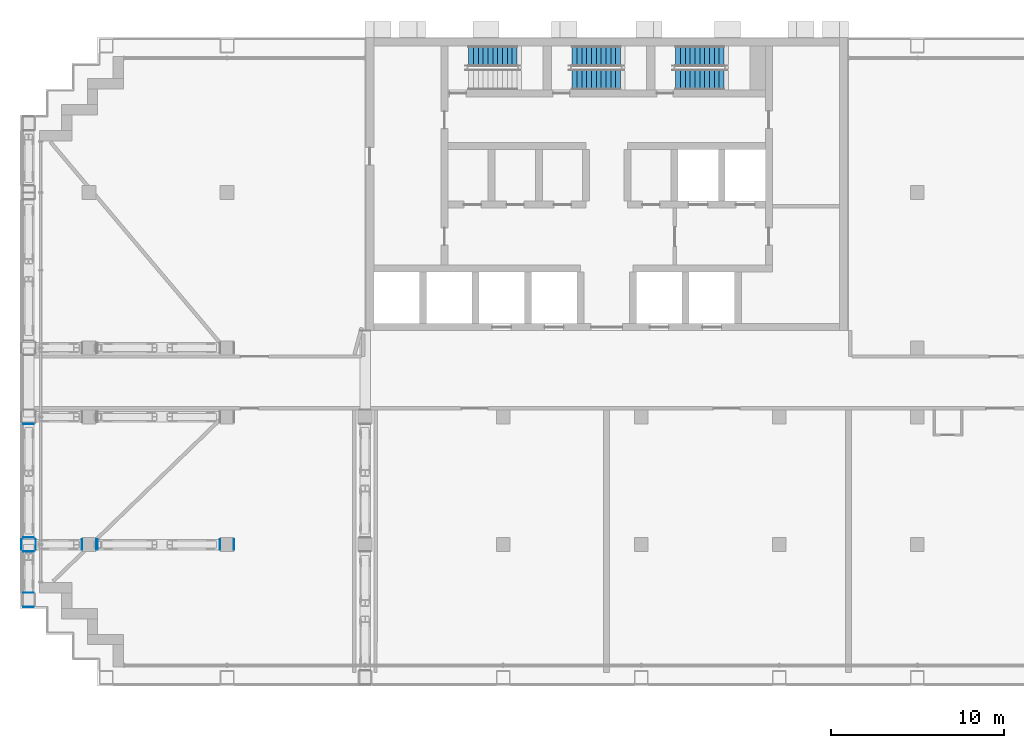
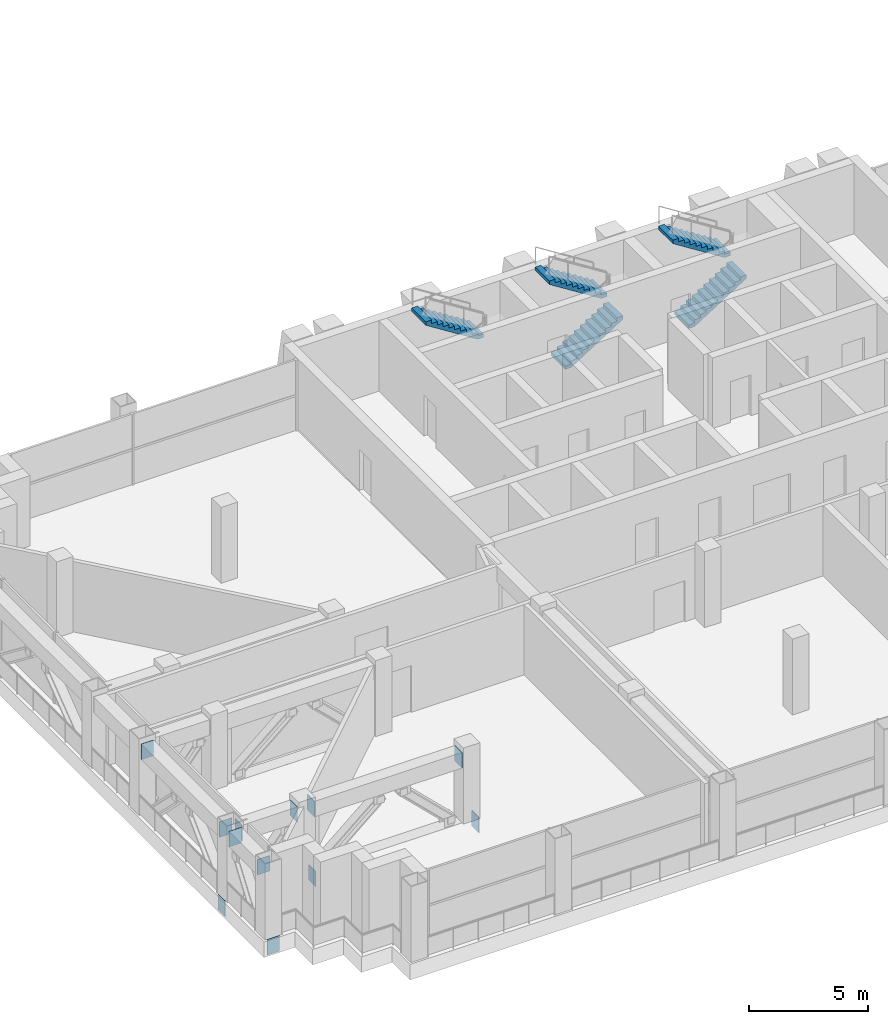
# One storey, part 11 of 25: 12 discrete accessories, 5 stair flights, 3 elements without a shape of their own.
"""IFC4 building model written with IfcOpenShell, lengths in metres."""

from ifc_helpers import new_model, si_unit, direction, frame, origin, origin_2d, place, context, subcontext, project, spatial, polyline, rectangle, outline, extrude, material, type_object, element, aggregate, save


model = new_model("IFC4")

# Units and contexts
model_context = context("Model", 3, precision=1e-05, world=origin(), true_north=direction((0.0, 1.0)))
body_context = subcontext(model_context, "Body", "Model", "MODEL_VIEW")
ifc_project = project(units=[si_unit("LENGTHUNIT", "METRE"), si_unit("AREAUNIT", "SQUARE_METRE"), si_unit("VOLUMEUNIT", "CUBIC_METRE"), si_unit("PLANEANGLEUNIT", "RADIAN"), si_unit("MASSUNIT", "GRAM", prefix="KILO")], contexts=[model_context])

# Site, building, storey
site_placement = place(None, origin())
site = spatial("IfcSite", under=ifc_project, at=site_placement, CompositionType="ELEMENT")
building_placement = place(site_placement, origin())
building = spatial("IfcBuilding", under=site, at=building_placement, Name="Vidyagriha Tower", CompositionType="ELEMENT")
storey_placement = place(building_placement, frame((0.0, 0.0, 115.89990234375)))
storey = spatial("IfcBuildingStorey", under=building, at=storey_placement, Name="L29", CompositionType="ELEMENT", Elevation=115.89990234375)

# Stair, stair flight
ifc_material_1 = material(Name="Concrete C40/50", Category="concrete")
stair_type = type_object("IfcStairType", Name="Exit stair, half-turn, precast flights", PredefinedType="HALF_TURN_STAIR", material=ifc_material_1)
stair_1_placement = place(storey_placement, origin())
stair_1 = element("IfcStair", 1, at=stair_1_placement, inside=storey, type_object=stair_type, Name="L29 Exit Stair ST1", PredefinedType="HALF_TURN_STAIR")
ifc_material_2 = material(Name="Precast concrete C40/50", Category="concrete")
stair_flight_type = type_object("IfcStairFlightType", Name="Exit stair flight 1200 mm, precast", PredefinedType="STRAIGHT", material=ifc_material_2)
stair_flight_1_placement = place(storey_placement, frame((-5.199951171875, 18.89990234375, 1.9501953125), z_axis=(0.0, 0.0, 1.0), x_axis=(-1.0, 0.0, 0.0)))
stair_flight_1 = element("IfcStairFlight", 2, at=stair_flight_1_placement, type_object=stair_flight_type, Name="ST1 flight 2", NumberOfRisers=11, NumberOfTreads=10, PredefinedType="STRAIGHT", RiserHeight=0.177272727, TreadLength=0.28, context=body_context, shape_type="SweptSolid", body=[
    extrude(outline(polyline([(0.0, 0.0), (0.0, 0.17724609375), (0.280029296875, 0.17724609375), (0.280029296875, 0.3544921875), (0.56005859375, 0.3544921875), (0.56005859375, 0.53173828125), (0.840087890625, 0.53173828125), (0.840087890625, 0.708984375), (1.1201171875, 0.708984375), (1.1201171875, 0.886474609375), (1.39990234375, 0.886474609375), (1.39990234375, 1.063720703125), (1.679931640625, 1.063720703125), (1.679931640625, 1.240966796875), (1.9599609375, 1.240966796875), (1.9599609375, 1.418212890625), (2.239990234375, 1.418212890625), (2.239990234375, 1.595458984375), (2.52001953125, 1.595458984375), (2.52001953125, 1.772705078125), (2.800048828125, 1.772705078125), (2.800048828125, 1.949951171875), (2.800048828125, 1.59521484375), (0.2802734375, 0.0), (0.0, 0.0)])), frame((0.0, 0.60009765625, 0.0), z_axis=(0.0, -1.0, 0.0), x_axis=(1.0, 0.0, 0.0)), (0.0, 0.0, 1.0), 1.199951171875),
])
aggregate(stair_1, [stair_flight_1])

# Stair, stair flights
stair_2_placement = place(storey_placement, origin())
stair_2 = element("IfcStair", 3, at=stair_2_placement, inside=storey, type_object=stair_type, Name="L29 Exit Stair ST2", PredefinedType="HALF_TURN_STAIR")
stair_flight_2_placement = place(storey_placement, frame((-2.0, 17.550048828125, 0.0)))
stair_flight_2 = element("IfcStairFlight", 4, at=stair_flight_2_placement, type_object=stair_flight_type, Name="ST2 flight 1", NumberOfRisers=11, NumberOfTreads=10, PredefinedType="STRAIGHT", RiserHeight=0.177272727, TreadLength=0.28, context=body_context, shape_type="SweptSolid", body=[
    extrude(outline(polyline([(0.0, 0.0), (0.0, 0.17724609375), (0.280029296875, 0.17724609375), (0.280029296875, 0.3544921875), (0.56005859375, 0.3544921875), (0.56005859375, 0.53173828125), (0.840087890625, 0.53173828125), (0.840087890625, 0.708984375), (1.1201171875, 0.708984375), (1.1201171875, 0.886474609375), (1.39990234375, 0.886474609375), (1.39990234375, 1.063720703125), (1.679931640625, 1.063720703125), (1.679931640625, 1.240966796875), (1.9599609375, 1.240966796875), (1.9599609375, 1.418212890625), (2.239990234375, 1.418212890625), (2.239990234375, 1.595458984375), (2.52001953125, 1.595458984375), (2.52001953125, 1.772705078125), (2.800048828125, 1.772705078125), (2.800048828125, 1.949951171875), (2.800048828125, 1.59521484375), (0.2802734375, 0.0), (0.0, 0.0)])), frame((0.0, 0.60009765625, 0.0), z_axis=(0.0, -1.0, 0.0), x_axis=(1.0, 0.0, 0.0)), (0.0, 0.0, 1.0), 1.199951171875),
])
stair_flight_3_placement = place(storey_placement, frame((0.800048828125, 18.89990234375, 1.9501953125), z_axis=(0.0, 0.0, 1.0), x_axis=(-1.0, 0.0, 0.0)))
stair_flight_3 = element("IfcStairFlight", 5, at=stair_flight_3_placement, type_object=stair_flight_type, Name="ST2 flight 2", NumberOfRisers=11, NumberOfTreads=10, PredefinedType="STRAIGHT", RiserHeight=0.177272727, TreadLength=0.28, context=body_context, shape_type="SweptSolid", body=[
    extrude(outline(polyline([(0.0, 0.0), (0.0, 0.17724609375), (0.280029296875, 0.17724609375), (0.280029296875, 0.3544921875), (0.56005859375, 0.3544921875), (0.56005859375, 0.53173828125), (0.840087890625, 0.53173828125), (0.840087890625, 0.708984375), (1.1201171875, 0.708984375), (1.1201171875, 0.886474609375), (1.39990234375, 0.886474609375), (1.39990234375, 1.063720703125), (1.679931640625, 1.063720703125), (1.679931640625, 1.240966796875), (1.9599609375, 1.240966796875), (1.9599609375, 1.418212890625), (2.239990234375, 1.418212890625), (2.239990234375, 1.595458984375), (2.52001953125, 1.595458984375), (2.52001953125, 1.772705078125), (2.800048828125, 1.772705078125), (2.800048828125, 1.949951171875), (2.800048828125, 1.59521484375), (0.2802734375, 0.0), (0.0, 0.0)])), frame((0.0, 0.60009765625, 0.0), z_axis=(0.0, -1.0, 0.0), x_axis=(1.0, 0.0, 0.0)), (0.0, 0.0, 1.0), 1.199951171875),
])
aggregate(stair_2, [stair_flight_2, stair_flight_3])

stair_3_placement = place(storey_placement, origin())
stair_3 = element("IfcStair", 6, at=stair_3_placement, inside=storey, type_object=stair_type, Name="L29 Exit Stair ST3", PredefinedType="HALF_TURN_STAIR")
stair_flight_4_placement = place(storey_placement, frame((4.0, 17.550048828125, 0.0)))
stair_flight_4 = element("IfcStairFlight", 7, at=stair_flight_4_placement, type_object=stair_flight_type, Name="ST3 flight 1", NumberOfRisers=11, NumberOfTreads=10, PredefinedType="STRAIGHT", RiserHeight=0.177272727, TreadLength=0.28, context=body_context, shape_type="SweptSolid", body=[
    extrude(outline(polyline([(0.0, 0.0), (0.0, 0.17724609375), (0.280029296875, 0.17724609375), (0.280029296875, 0.3544921875), (0.56005859375, 0.3544921875), (0.56005859375, 0.53173828125), (0.840087890625, 0.53173828125), (0.840087890625, 0.708984375), (1.1201171875, 0.708984375), (1.1201171875, 0.886474609375), (1.39990234375, 0.886474609375), (1.39990234375, 1.063720703125), (1.679931640625, 1.063720703125), (1.679931640625, 1.240966796875), (1.9599609375, 1.240966796875), (1.9599609375, 1.418212890625), (2.239990234375, 1.418212890625), (2.239990234375, 1.595458984375), (2.52001953125, 1.595458984375), (2.52001953125, 1.772705078125), (2.800048828125, 1.772705078125), (2.800048828125, 1.949951171875), (2.800048828125, 1.59521484375), (0.2802734375, 0.0), (0.0, 0.0)])), frame((0.0, 0.60009765625, 0.0), z_axis=(0.0, -1.0, 0.0), x_axis=(1.0, 0.0, 0.0)), (0.0, 0.0, 1.0), 1.199951171875),
])
stair_flight_5_placement = place(storey_placement, frame((6.800048828125, 18.89990234375, 1.9501953125), z_axis=(0.0, 0.0, 1.0), x_axis=(-1.0, 0.0, 0.0)))
stair_flight_5 = element("IfcStairFlight", 8, at=stair_flight_5_placement, type_object=stair_flight_type, Name="ST3 flight 2", NumberOfRisers=11, NumberOfTreads=10, PredefinedType="STRAIGHT", RiserHeight=0.177272727, TreadLength=0.28, context=body_context, shape_type="SweptSolid", body=[
    extrude(outline(polyline([(0.0, 0.0), (0.0, 0.17724609375), (0.280029296875, 0.17724609375), (0.280029296875, 0.3544921875), (0.56005859375, 0.3544921875), (0.56005859375, 0.53173828125), (0.840087890625, 0.53173828125), (0.840087890625, 0.708984375), (1.1201171875, 0.708984375), (1.1201171875, 0.886474609375), (1.39990234375, 0.886474609375), (1.39990234375, 1.063720703125), (1.679931640625, 1.063720703125), (1.679931640625, 1.240966796875), (1.9599609375, 1.240966796875), (1.9599609375, 1.418212890625), (2.239990234375, 1.418212890625), (2.239990234375, 1.595458984375), (2.52001953125, 1.595458984375), (2.52001953125, 1.772705078125), (2.800048828125, 1.772705078125), (2.800048828125, 1.949951171875), (2.800048828125, 1.59521484375), (0.2802734375, 0.0), (0.0, 0.0)])), frame((0.0, 0.60009765625, 0.0), z_axis=(0.0, -1.0, 0.0), x_axis=(1.0, 0.0, 0.0)), (0.0, 0.0, 1.0), 1.199951171875),
])
aggregate(stair_3, [stair_flight_4, stair_flight_5])

# Discrete accessories
discrete_accessory_1_placement = place(storey_placement, frame((-33.9150390625, -9.39990234375, -0.7998046875), z_axis=(0.0, 0.0, 1.0), x_axis=(-1.0, 0.0, 0.0)))
element("IfcDiscreteAccessory", 9, at=discrete_accessory_1_placement, inside=storey, Name="Chord end plate", ObjectType="END PLATE", PredefinedType="USERDEFINED", context=body_context, shape_type="SweptSolid", body=[
    extrude(rectangle(XDim=0.030029296875, YDim=0.60009765625, at=origin_2d()), origin(), (0.0, 0.0, 1.0), 0.800048828125),
])
discrete_accessory_2_placement = place(storey_placement, frame((-21.5849609375, -9.39990234375, -0.7998046875)))
element("IfcDiscreteAccessory", 10, at=discrete_accessory_2_placement, inside=storey, Name="Chord end plate", ObjectType="END PLATE", PredefinedType="USERDEFINED", context=body_context, shape_type="SweptSolid", body=[
    extrude(rectangle(XDim=0.030029296875, YDim=0.60009765625, at=origin_2d()), origin(), (0.0, 0.0, 1.0), 0.800048828125),
])
for number, where, z_axis, x_axis, name in (
    (11, (-29.580078125, -9.39990234375, 2.8203125), (0.0, 0.0, 1.0), (-1.0, 0.0, 0.0), "Chord end plate"),
    (12, (-33.5, -13.014892578125, -0.7998046875), (0.0, 0.0, 1.0), (0.0, -1.0, 0.0), "Chord end plate"),
):
    element("IfcDiscreteAccessory", number, at=place(storey_placement, frame(where, z_axis=z_axis, x_axis=x_axis)), inside=storey, Name=name, ObjectType="END PLATE", PredefinedType="USERDEFINED", context=body_context, shape_type="SweptSolid", body=[
        extrude(rectangle(XDim=0.030029296875, YDim=0.60009765625, at=origin_2d()), origin(), (0.0, 0.0, 1.0), 0.800048828125),
    ])
discrete_accessory_3_placement = place(storey_placement, frame((-29.509765625, -9.39990234375, -0.7998046875)))
element("IfcDiscreteAccessory", 13, at=discrete_accessory_3_placement, inside=storey, Name="End plate ASTM A572 Grade 50 20mm", ObjectType="END PLATE", PredefinedType="USERDEFINED", context=body_context, shape_type="SweptSolid", body=[
    extrude(rectangle(XDim=0.02001953125, YDim=0.60009765625, at=origin_2d()), origin(), (0.0, 0.0, 1.0), 0.800048828125),
])
discrete_accessory_4_placement = place(storey_placement, frame((-33.090087890625, -9.39990234375, 2.8203125), z_axis=(0.0, 0.0, 1.0), x_axis=(-1.0, 0.0, 0.0)))
element("IfcDiscreteAccessory", 14, at=discrete_accessory_4_placement, inside=storey, Name="End plate ASTM A572 Grade 50 20mm", ObjectType="END PLATE", PredefinedType="USERDEFINED", context=body_context, shape_type="SweptSolid", body=[
    extrude(rectangle(XDim=0.02001953125, YDim=0.60009765625, at=origin_2d()), origin(), (0.0, 0.0, 1.0), 0.800048828125),
])
for number, where, name in (
    (15, (-30.40966796875, -9.39990234375, 2.8203125), "End plate ASTM A572 Grade 50 20mm"),
    (16, (-22.40966796875, -9.39990234375, 2.8203125), "End plate ASTM A572 Grade 50 20mm"),
):
    element("IfcDiscreteAccessory", number, at=place(storey_placement, frame(where)), inside=storey, Name=name, ObjectType="END PLATE", PredefinedType="USERDEFINED", context=body_context, shape_type="SweptSolid", body=[
        extrude(rectangle(XDim=0.02001953125, YDim=0.60009765625, at=origin_2d()), origin(), (0.0, 0.0, 1.0), 0.800048828125),
    ])
for number, where, z_axis, x_axis, name in (
    (17, (-33.5, -12.190185546875, 2.8203125), (0.0, 0.0, 1.0), (0.0, -1.0, 0.0), "End plate ASTM A572 Grade 50 20mm"),
    (18, (-33.5, -9.809814453125, 2.8203125), (0.0, 0.0, 1.0), (0.0, 1.0, 0.0), "End plate ASTM A572 Grade 50 20mm"),
    (19, (-33.5, -8.990234375, 2.8203125), (0.0, 0.0, 1.0), (0.0, -1.0, 0.0), "End plate ASTM A572 Grade 50 20mm"),
    (20, (-33.5, -2.40966796875, 2.8203125), (0.0, 0.0, 1.0), (0.0, 1.0, 0.0), "End plate ASTM A572 Grade 50 20mm"),
):
    element("IfcDiscreteAccessory", number, at=place(storey_placement, frame(where, z_axis=z_axis, x_axis=x_axis)), inside=storey, Name=name, ObjectType="END PLATE", PredefinedType="USERDEFINED", context=body_context, shape_type="SweptSolid", body=[
        extrude(rectangle(XDim=0.02001953125, YDim=0.60009765625, at=origin_2d()), origin(), (0.0, 0.0, 1.0), 0.800048828125),
    ])

save(model, "model.ifc")
